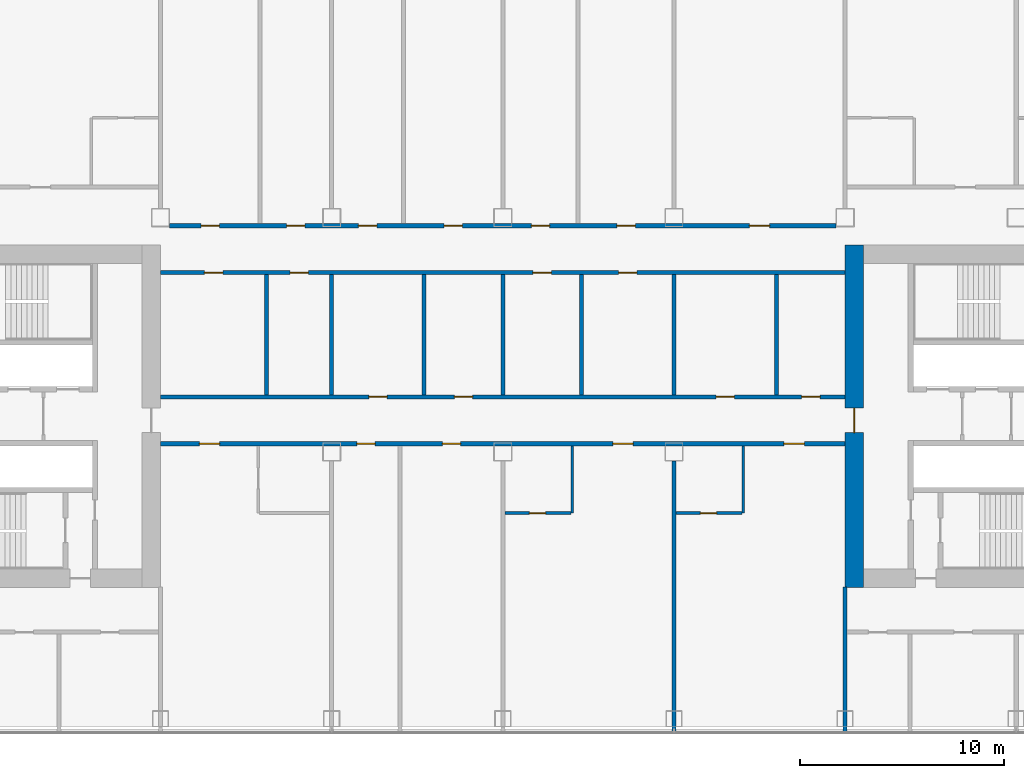
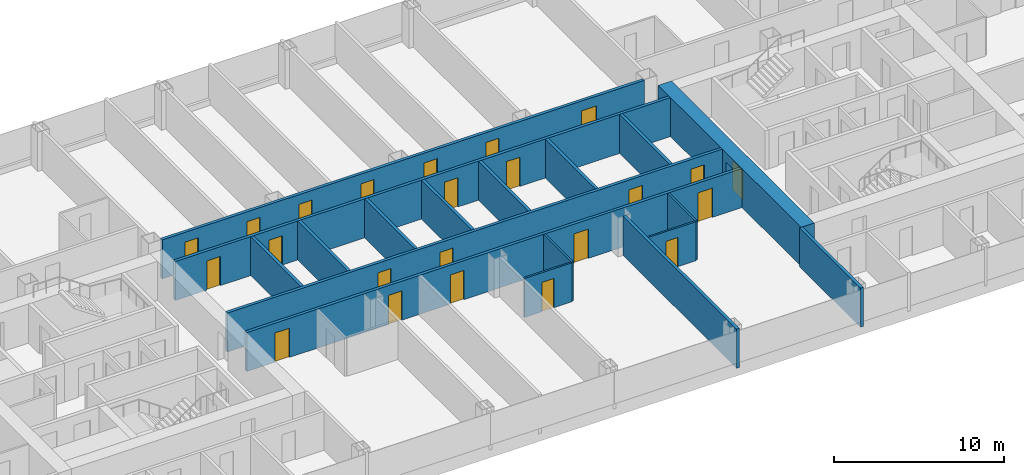
# One storey, part 17 of 29: 23 doors, 18 walls, 23 openings.
"""IFC4 building model written with IfcOpenShell, lengths in metres."""

import ifcopenshell
import ifcopenshell.guid

model = None  # the IFC model being written
_history = None  # IfcOwnerHistory: only IFC2X3 demands one
_inside = {}  # id of a spatial element -> (the spatial element, [elements in it])
_under = {}  # id of a project, library or spatial element -> (it, [spatial elements below it])
_declared = {}  # id of a project -> (the project, [libraries it declares])
_typed = {}  # id of a type object -> (the type object, [elements of that type])
_made_of = {}  # id of a material, layer set ... -> (it, [elements and type objects made of it])


def new_model(schema):
    """Start an empty IFC model of exactly this schema.

    Asked for "IFC4X3", IfcOpenShell would pick the latest addendum, in which some entities
    have other attributes; the version numbers below select the first issue.
    IFC2X3 requires an IfcOwnerHistory on every rooted entity: one is made here for all.
    """
    global model, _history
    if schema == "IFC4X3":
        model = ifcopenshell.file(schema_version=(4, 3, 0, 0))
    else:
        model = ifcopenshell.file(schema=schema)
    _inside.clear()
    _under.clear()
    _declared.clear()
    _typed.clear()
    _made_of.clear()
    _history = None
    if model.schema == "IFC2X3":
        org = make("IfcOrganization", Name="unknown")
        user = make(
            "IfcPersonAndOrganization",
            ThePerson=make("IfcPerson", FamilyName="unknown"),
            TheOrganization=org,
        )
        app = make(
            "IfcApplication",
            ApplicationDeveloper=org,
            Version="unknown",
            ApplicationFullName="unknown",
            ApplicationIdentifier="unknown",
        )
        _history = make(
            "IfcOwnerHistory",
            OwningUser=user,
            OwningApplication=app,
            ChangeAction="ADDED",
            CreationDate=0,
        )
    return model


def make(cls, **values):
    """One entity of the class cls with the attributes given. An attribute that is None is left unset."""
    return model.create_entity(
        cls, **{name: value for name, value in values.items() if value is not None}
    )


def rooted(cls, **values):
    """An entity with a GlobalId (a new one), such as an element, a storey or a relation."""
    return make(cls, GlobalId=ifcopenshell.guid.new(), OwnerHistory=_history, **values)


def si_unit(unit_type, name, prefix=None):
    """IfcSIUnit, for example si_unit("LENGTHUNIT", "METRE", prefix="MILLI")."""
    return make("IfcSIUnit", UnitType=unit_type, Prefix=prefix, Name=name)


def assignment(units):
    """IfcUnitAssignment: the units of a project."""
    return None if units is None else make("IfcUnitAssignment", Units=units)


def point(xyz):
    """IfcCartesianPoint."""
    return None if xyz is None else make("IfcCartesianPoint", Coordinates=xyz)


def direction(xyz):
    """IfcDirection."""
    return None if xyz is None else make("IfcDirection", DirectionRatios=xyz)


def frame(location, z_axis=None, x_axis=None):
    """IfcAxis2Placement3D, a coordinate frame: its origin and axes. An axis left out is left unset."""
    return make(
        "IfcAxis2Placement3D",
        Location=point(location),
        Axis=direction(z_axis),
        RefDirection=direction(x_axis),
    )


def frame_2d(location, x_axis=None):
    """IfcAxis2Placement2D, a coordinate frame in the plane: its origin and x axis."""
    return make(
        "IfcAxis2Placement2D", Location=point(location), RefDirection=direction(x_axis)
    )


def origin():
    """The frame at (0, 0, 0) with its axes left unset."""
    return frame((0.0, 0.0, 0.0))


def place(relative_to, where):
    """IfcLocalPlacement: puts the frame where relative to a parent placement (None: the world)."""
    return make(
        "IfcLocalPlacement", PlacementRelTo=relative_to, RelativePlacement=where
    )


def context(
    kind, dimensions, precision=None, world=None, true_north=None, identifier=None
):
    """IfcGeometricRepresentationContext, for example the 3D "Model" context."""
    return make(
        "IfcGeometricRepresentationContext",
        ContextIdentifier=identifier,
        ContextType=kind,
        CoordinateSpaceDimension=dimensions,
        Precision=precision,
        WorldCoordinateSystem=world,
        TrueNorth=true_north,
    )


def subcontext(parent, identifier, kind, view, scale=None):
    """IfcGeometricRepresentationSubContext, for example "Body" below "Model"."""
    return make(
        "IfcGeometricRepresentationSubContext",
        ContextIdentifier=identifier,
        ContextType=kind,
        ParentContext=parent,
        TargetScale=scale,
        TargetView=view,
    )


def project(units=None, contexts=None):
    """IfcProject with its units and contexts."""
    return rooted(
        "IfcProject",
        Name="project",
        RepresentationContexts=contexts,
        UnitsInContext=assignment(units),
    )


def spatial(cls, under=None, at=None, **own):
    """A site, building, storey or space (cls), placed at a placement, below another one or the project."""
    s = rooted(cls, ObjectPlacement=at, **own)
    if under is not None:
        _under.setdefault(under.id(), (under, []))[1].append(s)
    return s


def profile(cls, at=None, kind="AREA", **sizes):
    """A parametric profile (cls). Its sizes go by their IFC names, for example OverallWidth=200.0."""
    return make(cls, ProfileType=kind, Position=at, **sizes)


def rectangle(**sizes):
    """IfcRectangleProfileDef."""
    return profile("IfcRectangleProfileDef", **sizes)


def extrude(swept, where, along, depth):
    """IfcExtrudedAreaSolid: the profile swept, set in the frame where, extruded along a direction by depth."""
    return make(
        "IfcExtrudedAreaSolid",
        SweptArea=swept,
        Position=where,
        ExtrudedDirection=direction(along),
        Depth=depth,
    )


def shape(context_of_items, identifier, shape_type, items):
    """IfcShapeRepresentation: the items that make up one representation, for example the "Body"."""
    return make(
        "IfcShapeRepresentation",
        ContextOfItems=context_of_items,
        RepresentationIdentifier=identifier,
        RepresentationType=shape_type,
        Items=items,
    )


def material(Name=None, Category=None):
    """IfcMaterial."""
    return make("IfcMaterial", Name=Name, Category=Category)


def layer(
    of_material, thickness, ventilated=None, Name=None, Category=None, Priority=None
):
    """IfcMaterialLayer: one layer of a wall or slab, of a material (None: an air gap)."""
    return make(
        "IfcMaterialLayer",
        Material=of_material,
        LayerThickness=thickness,
        IsVentilated=ventilated,
        Name=Name,
        Category=Category,
        Priority=Priority,
    )


def layer_set(layers, Name=None):
    """IfcMaterialLayerSet."""
    return make("IfcMaterialLayerSet", MaterialLayers=layers, LayerSetName=Name)


def made_of(thing, what):
    """Note that an element or type object is made of a material, layer set ...; save() writes the relation."""
    if what is not None:
        _made_of.setdefault(what.id(), (what, []))[1].append(thing)
    return thing


def type_object(cls, material=None, **own):
    """A type object (cls), such as IfcWallType, which elements share."""
    return made_of(rooted(cls, **own), material)


def element(
    cls,
    number,
    at=None,
    inside=None,
    cuts=None,
    type_object=None,
    material=None,
    context=None,
    identifier="Body",
    shape_type=None,
    held_by="IfcProductDefinitionShape",
    body=None,
    shapes=None,
    **own,
):
    """One element of the class cls, such as IfcWall. Its Tag is "e" and its number.

    at: its placement. inside: the storey or other place that contains it. cuts: it is an
    opening in that element (IfcRelVoidsElement). A single representation is given by context,
    identifier, shape_type and body (its items); several are given by shapes. held_by: the class
    of the entity that holds the representations. save() writes the other relations.
    """
    e = rooted(cls, Tag="e%d" % number, ObjectPlacement=at, **own)
    if body is not None:
        shapes = [shape(context, identifier, shape_type, body)]
    if shapes is not None:
        e.Representation = make(held_by, Representations=shapes)
    if inside is not None:
        _inside.setdefault(inside.id(), (inside, []))[1].append(e)
    if cuts is not None:
        rooted(
            "IfcRelVoidsElement", RelatingBuildingElement=cuts, RelatedOpeningElement=e
        )
    if type_object is not None:
        _typed.setdefault(type_object.id(), (type_object, []))[1].append(e)
    return made_of(e, material)


def fill(opening, filler):
    """IfcRelFillsElement: the door or window that sits in an opening."""
    return rooted(
        "IfcRelFillsElement",
        RelatingOpeningElement=opening,
        RelatedBuildingElement=filler,
    )


def aggregate(whole, parts):
    """IfcRelAggregates: a whole, such as a stair, and the parts it consists of."""
    return rooted("IfcRelAggregates", RelatingObject=whole, RelatedObjects=parts)


def save(model, path):
    """Write the relations noted so far, then the file.

    IfcRelAggregates (storeys below a building ...), IfcRelContainedInSpatialStructure (elements
    in a storey), IfcRelDefinesByType, IfcRelAssociatesMaterial and IfcRelDeclares: one each for
    every whole, place, type object, material and project.
    """
    for whole, parts in _under.values():
        aggregate(whole, parts)
    for where, things in _inside.values():
        rooted(
            "IfcRelContainedInSpatialStructure",
            RelatedElements=things,
            RelatingStructure=where,
        )
    for kind, things in _typed.values():
        rooted("IfcRelDefinesByType", RelatedObjects=things, RelatingType=kind)
    for what, things in _made_of.values():
        rooted("IfcRelAssociatesMaterial", RelatedObjects=things, RelatingMaterial=what)
    for by, libraries in _declared.values():
        rooted("IfcRelDeclares", RelatingContext=by, RelatedDefinitions=libraries)
    model.write(path)


model = new_model("IFC4")

# Units and contexts
model_context = context("Model", 3, precision=1e-05, world=origin(), true_north=direction((0.0, 1.0)))
body_context = subcontext(model_context, "Body", "Model", "MODEL_VIEW")
ifc_project = project(units=[si_unit("LENGTHUNIT", "METRE"), si_unit("AREAUNIT", "SQUARE_METRE"), si_unit("VOLUMEUNIT", "CUBIC_METRE"), si_unit("PLANEANGLEUNIT", "RADIAN"), si_unit("MASSUNIT", "GRAM", prefix="KILO")], contexts=[model_context])

# Site, building, storey
site_placement = place(None, origin())
site = spatial("IfcSite", under=ifc_project, at=site_placement, CompositionType="ELEMENT")
building_placement = place(site_placement, origin())
building = spatial("IfcBuilding", under=site, at=building_placement, Name="Hakoniwa Tower and Hamabe Station Hall", CompositionType="ELEMENT")
storey_placement = place(building_placement, frame((0.0, 0.0, 75.39990234375)))
storey = spatial("IfcBuildingStorey", under=building, at=storey_placement, Name="L20", CompositionType="ELEMENT", Elevation=75.39990234375)

# Wall, opening, door
ifc_material_1 = material(Name="Gypsum board partition", Category="gypsum")
ifc_layer_1 = layer(ifc_material_1, 0.125)
ifc_layer_set_1 = layer_set([ifc_layer_1], Name="Bathroom Partition 125")
wall_type_1 = type_object("IfcWallType", Name="Bathroom Partition 125", PredefinedType="PARTITIONING", material=ifc_layer_set_1)
wall_1_placement = place(storey_placement, frame((0.10009765625, -4.75, 0.0), z_axis=(0.0, 0.0, 1.0), x_axis=(1.0, 0.0, 0.0)))
wall_1 = element("IfcWall", 1, at=wall_1_placement, inside=storey, type_object=wall_type_1, Name="GW-L20-008", PredefinedType="PARTITIONING", context=body_context, shape_type="SweptSolid", body=[
    extrude(rectangle(XDim=3.2373046875, YDim=0.125, at=frame_2d((1.61865234375, 0.0))), origin(), (0.0, 0.0, 1.0), 2.800048828125),
])
opening_1_placement = place(wall_1_placement, frame((1.199951171875, 0.0, 0.0)))
opening_1 = element("IfcOpeningElement", 2, at=opening_1_placement, cuts=wall_1, Name="Opening GD-G2A0-18", PredefinedType="OPENING", context=body_context, shape_type="SweptSolid", body=[
    extrude(rectangle(XDim=0.800048828125, YDim=2.10009765625, at=frame_2d((0.39990234375, 1.050048828125))), frame((0.0, 0.072509765625, 0.0), z_axis=(0.0, -1.0, 0.0), x_axis=(1.0, 0.0, 0.0)), (0.0, 0.0, 1.0), 0.14501953125),
])
ifc_material_2 = material(Name="Timber door leaf", Category="wood")
door_type_1 = type_object("IfcDoorType", Name="Bathroom Door 800", OperationType="SINGLE_SWING_LEFT", PredefinedType="DOOR", material=ifc_material_2)
door_1_placement = place(opening_1_placement, origin())
door_1 = element("IfcDoor", 3, at=door_1_placement, inside=storey, type_object=door_type_1, Name="Door GD-G2A0-18", OperationType="SINGLE_SWING_RIGHT", OverallHeight=2.10009765625, OverallWidth=0.800048828125, PredefinedType="DOOR", context=body_context, shape_type="SweptSolid", body=[
    extrude(rectangle(XDim=0.800048828125, YDim=2.10009765625, at=frame_2d((0.39990234375, 1.050048828125))), frame((0.0, 0.02490234375, 0.0), z_axis=(0.0, -1.0, 0.0), x_axis=(1.0, 0.0, 0.0)), (0.0, 0.0, 1.0), 0.050048828125),
])
fill(opening_1, door_1)

wall_2_placement = place(storey_placement, frame((8.5, -4.75, 0.0), z_axis=(0.0, 0.0, 1.0), x_axis=(1.0, 0.0, 0.0)))
wall_2 = element("IfcWall", 4, at=wall_2_placement, inside=storey, type_object=wall_type_1, Name="GW-L20-009", PredefinedType="PARTITIONING", context=body_context, shape_type="SweptSolid", body=[
    extrude(rectangle(XDim=3.237548828125, YDim=0.125, at=frame_2d((1.61865234375, 0.0))), origin(), (0.0, 0.0, 1.0), 2.800048828125),
])
opening_2_placement = place(wall_2_placement, frame((1.199951171875, 0.0, 0.0)))
opening_2 = element("IfcOpeningElement", 5, at=opening_2_placement, cuts=wall_2, Name="Opening GD-G2A0-19", PredefinedType="OPENING", context=body_context, shape_type="SweptSolid", body=[
    extrude(rectangle(XDim=0.800048828125, YDim=2.10009765625, at=frame_2d((0.39990234375, 1.050048828125))), frame((0.0, 0.072509765625, 0.0), z_axis=(0.0, -1.0, 0.0), x_axis=(1.0, 0.0, 0.0)), (0.0, 0.0, 1.0), 0.14501953125),
])
door_2_placement = place(opening_2_placement, origin())
door_2 = element("IfcDoor", 6, at=door_2_placement, inside=storey, type_object=door_type_1, Name="Door GD-G2A0-19", OperationType="SINGLE_SWING_LEFT", OverallHeight=2.10009765625, OverallWidth=0.800048828125, PredefinedType="DOOR", context=body_context, shape_type="SweptSolid", body=[
    extrude(rectangle(XDim=0.800048828125, YDim=2.10009765625, at=frame_2d((0.39990234375, 1.050048828125))), frame((0.0, 0.02490234375, 0.0), z_axis=(0.0, -1.0, 0.0), x_axis=(1.0, 0.0, 0.0)), (0.0, 0.0, 1.0), 0.050048828125),
])
fill(opening_2, door_2)

# Walls
for number, where, z_axis, x_axis, name in (
    (7, (3.39990234375, -4.75, 0.0), (0.0, 0.0, 1.0), (0.0, 1.0, 0.0), "GW-L20-055"),
    (8, (11.800048828125, -4.75, 0.0), (0.0, 0.0, 1.0), (0.0, 1.0, 0.0), "GW-L20-061"),
):
    element("IfcWall", number, at=place(storey_placement, frame(where, z_axis=z_axis, x_axis=x_axis)), inside=storey, type_object=wall_type_1, Name=name, PredefinedType="PARTITIONING", context=body_context, shape_type="SweptSolid", body=[
        extrude(rectangle(XDim=3.300048828125, YDim=0.125, at=frame_2d((1.64990234375, 0.0))), origin(), (0.0, 0.0, 1.0), 2.800048828125),
    ])

# Wall, opening, door
ifc_material_3 = material(Name="Concrete C72", Category="concrete")
ifc_layer_2 = layer(ifc_material_3, 0.89990234375)
ifc_layer_set_2 = layer_set([ifc_layer_2], Name="CORE WALL 900 C72")
wall_type_2 = type_object("IfcWallType", Name="CORE WALL 900 C72", PredefinedType="SHEAR", material=ifc_layer_set_2)
wall_3_placement = place(storey_placement, frame((17.25, -8.39990234375, 0.0), z_axis=(0.0, 0.0, 1.0), x_axis=(0.0, 1.0, 0.0)))
wall_3 = element("IfcWall", 9, at=wall_3_placement, inside=storey, type_object=wall_type_2, Name="Core wall INNER east", PredefinedType="SHEAR", context=body_context, shape_type="SweptSolid", body=[
    extrude(rectangle(XDim=16.7998046875, YDim=0.89990234375, at=frame_2d((8.39990234375, 0.0))), origin(), (0.0, 0.0, 1.0), 2.800048828125),
])
opening_3_placement = place(wall_3_placement, frame((7.60009765625, 0.0, 0.0)))
opening_3 = element("IfcOpeningElement", 10, at=opening_3_placement, cuts=wall_3, Name="Opening CD-E-IN1-12", PredefinedType="OPENING", context=body_context, shape_type="SweptSolid", body=[
    extrude(rectangle(XDim=1.199951171875, YDim=2.10009765625, at=frame_2d((0.60009765625, 1.050048828125))), frame((0.0, 0.4599609375, 0.0), z_axis=(0.0, -1.0, 0.0), x_axis=(1.0, 0.0, 0.0)), (0.0, 0.0, 1.0), 0.919921875),
])
ifc_material_4 = material(Name="Steel fire door", Category="steel")
door_type_2 = type_object("IfcDoorType", Name="CORE DOOR 1200 FD60", OperationType="DOUBLE_DOOR_SINGLE_SWING", PredefinedType="DOOR", material=ifc_material_4)
door_3_placement = place(opening_3_placement, origin())
door_3 = element("IfcDoor", 11, at=door_3_placement, inside=storey, type_object=door_type_2, Name="Lift lobby door", OperationType="DOUBLE_DOOR_SINGLE_SWING", OverallHeight=2.10009765625, OverallWidth=1.199951171875, PredefinedType="DOOR", context=body_context, shape_type="SweptSolid", body=[
    extrude(rectangle(XDim=1.199951171875, YDim=2.10009765625, at=frame_2d((0.60009765625, 1.050048828125))), frame((0.0, 0.02490234375, 0.0), z_axis=(0.0, -1.0, 0.0), x_axis=(1.0, 0.0, 0.0)), (0.0, 0.0, 1.0), 0.050048828125),
])
fill(opening_3, door_3)

# Wall, openings, doors
ifc_material_5 = material(Name="Fire-rated gypsum board partition", Category="gypsum")
ifc_layer_3 = layer(ifc_material_5, 0.199951171875)
ifc_layer_set_3 = layer_set([ifc_layer_3], Name="Corridor Wall 200")
wall_type_3 = type_object("IfcWallType", Name="Corridor Wall 200", PredefinedType="PARTITIONING", material=ifc_layer_set_3)
wall_4_placement = place(storey_placement, frame((-16.800048828125, -1.35009765625, 0.0), z_axis=(0.0, 0.0, 1.0), x_axis=(1.0, 0.0, 0.0)))
wall_4 = element("IfcWall", 12, at=wall_4_placement, inside=storey, type_object=wall_type_3, Name="GW-L20-010", PredefinedType="PARTITIONING", context=body_context, shape_type="SweptSolid", body=[
    extrude(rectangle(XDim=33.60009765625, YDim=0.199951171875, at=frame_2d((16.800048828125, 0.0))), origin(), (0.0, 0.0, 1.0), 2.800048828125),
])
opening_4_placement = place(wall_4_placement, frame((1.89990234375, 0.0, 0.0)))
opening_4 = element("IfcOpeningElement", 13, at=opening_4_placement, cuts=wall_4, Name="Opening GD-G2A0-20", PredefinedType="OPENING", context=body_context, shape_type="SweptSolid", body=[
    extrude(rectangle(XDim=1.0, YDim=2.10009765625, at=frame_2d((0.5, 1.050048828125))), frame((0.0, 0.10986328125, 0.0), z_axis=(0.0, -1.0, 0.0), x_axis=(1.0, 0.0, 0.0)), (0.0, 0.0, 1.0), 0.219970703125),
])
opening_5_placement = place(wall_4_placement, frame((9.6298828125, 0.0, 0.0)))
opening_5 = element("IfcOpeningElement", 14, at=opening_5_placement, cuts=wall_4, Name="Opening GD-G2A0-21", PredefinedType="OPENING", context=body_context, shape_type="SweptSolid", body=[
    extrude(rectangle(XDim=0.89990234375, YDim=2.10009765625, at=frame_2d((0.449951171875, 1.050048828125))), frame((0.0, 0.10986328125, 0.0), z_axis=(0.0, -1.0, 0.0), x_axis=(1.0, 0.0, 0.0)), (0.0, 0.0, 1.0), 0.219970703125),
])
opening_6_placement = place(wall_4_placement, frame((13.830078125, 0.0, 0.0)))
opening_6 = element("IfcOpeningElement", 15, at=opening_6_placement, cuts=wall_4, Name="Opening GD-G2A0-22", PredefinedType="OPENING", context=body_context, shape_type="SweptSolid", body=[
    extrude(rectangle(XDim=0.89990234375, YDim=2.10009765625, at=frame_2d((0.449951171875, 1.050048828125))), frame((0.0, 0.10986328125, 0.0), z_axis=(0.0, -1.0, 0.0), x_axis=(1.0, 0.0, 0.0)), (0.0, 0.0, 1.0), 0.219970703125),
])
opening_7_placement = place(wall_4_placement, frame((22.199951171875, 0.0, 0.0)))
opening_7 = element("IfcOpeningElement", 16, at=opening_7_placement, cuts=wall_4, Name="Opening GD-G2A0-23", PredefinedType="OPENING", context=body_context, shape_type="SweptSolid", body=[
    extrude(rectangle(XDim=1.0, YDim=2.10009765625, at=frame_2d((0.5, 1.050048828125))), frame((0.0, 0.10986328125, 0.0), z_axis=(0.0, -1.0, 0.0), x_axis=(1.0, 0.0, 0.0)), (0.0, 0.0, 1.0), 0.219970703125),
])
opening_8_placement = place(wall_4_placement, frame((30.60009765625, 0.0, 0.0)))
opening_8 = element("IfcOpeningElement", 17, at=opening_8_placement, cuts=wall_4, Name="Opening GD-G2A0-24", PredefinedType="OPENING", context=body_context, shape_type="SweptSolid", body=[
    extrude(rectangle(XDim=1.0, YDim=2.10009765625, at=frame_2d((0.5, 1.050048828125))), frame((0.0, 0.10986328125, 0.0), z_axis=(0.0, -1.0, 0.0), x_axis=(1.0, 0.0, 0.0)), (0.0, 0.0, 1.0), 0.219970703125),
])
ifc_material_6 = material(Name="Timber door leaf", Category="wood")
door_type_3 = type_object("IfcDoorType", Name="Accessible Guest Entrance Door 1000", OperationType="SINGLE_SWING_LEFT", PredefinedType="DOOR", material=ifc_material_6)
door_4_placement = place(opening_4_placement, origin())
door_4 = element("IfcDoor", 18, at=door_4_placement, inside=storey, type_object=door_type_3, Name="Door GD-G2A0-20", OperationType="SINGLE_SWING_RIGHT", OverallHeight=2.10009765625, OverallWidth=1.0, PredefinedType="DOOR", context=body_context, shape_type="SweptSolid", body=[
    extrude(rectangle(XDim=1.0, YDim=2.10009765625, at=frame_2d((0.5, 1.050048828125))), frame((0.0, 0.02490234375, 0.0), z_axis=(0.0, -1.0, 0.0), x_axis=(1.0, 0.0, 0.0)), (0.0, 0.0, 1.0), 0.050048828125),
])
fill(opening_4, door_4)
ifc_material_7 = material(Name="Timber door leaf", Category="wood")
door_type_4 = type_object("IfcDoorType", Name="Guest Entrance Door 1000", OperationType="SINGLE_SWING_LEFT", PredefinedType="DOOR", material=ifc_material_7)
door_5_placement = place(opening_7_placement, origin())
door_5 = element("IfcDoor", 19, at=door_5_placement, inside=storey, type_object=door_type_4, Name="Door GD-G2A0-23", OperationType="SINGLE_SWING_LEFT", OverallHeight=2.10009765625, OverallWidth=1.0, PredefinedType="DOOR", context=body_context, shape_type="SweptSolid", body=[
    extrude(rectangle(XDim=1.0, YDim=2.10009765625, at=frame_2d((0.5, 1.050048828125))), frame((0.0, 0.02490234375, 0.0), z_axis=(0.0, -1.0, 0.0), x_axis=(1.0, 0.0, 0.0)), (0.0, 0.0, 1.0), 0.050048828125),
])
fill(opening_7, door_5)
door_6_placement = place(opening_8_placement, origin())
door_6 = element("IfcDoor", 20, at=door_6_placement, inside=storey, type_object=door_type_4, Name="Door GD-G2A0-24", OperationType="SINGLE_SWING_RIGHT", OverallHeight=2.10009765625, OverallWidth=1.0, PredefinedType="DOOR", context=body_context, shape_type="SweptSolid", body=[
    extrude(rectangle(XDim=1.0, YDim=2.10009765625, at=frame_2d((0.5, 1.050048828125))), frame((0.0, 0.02490234375, 0.0), z_axis=(0.0, -1.0, 0.0), x_axis=(1.0, 0.0, 0.0)), (0.0, 0.0, 1.0), 0.050048828125),
])
fill(opening_8, door_6)
ifc_material_8 = material(Name="Timber door leaf", Category="wood")
door_type_5 = type_object("IfcDoorType", Name="Service Door 900", OperationType="SINGLE_SWING_LEFT", PredefinedType="DOOR", material=ifc_material_8)
door_7_placement = place(opening_5_placement, origin())
door_7 = element("IfcDoor", 21, at=door_7_placement, inside=storey, type_object=door_type_5, Name="Door GD-G2A0-21", OperationType="SINGLE_SWING_RIGHT", OverallHeight=2.10009765625, OverallWidth=0.89990234375, PredefinedType="DOOR", context=body_context, shape_type="SweptSolid", body=[
    extrude(rectangle(XDim=0.89990234375, YDim=2.10009765625, at=frame_2d((0.449951171875, 1.050048828125))), frame((0.0, 0.02490234375, 0.0), z_axis=(0.0, -1.0, 0.0), x_axis=(1.0, 0.0, 0.0)), (0.0, 0.0, 1.0), 0.050048828125),
])
fill(opening_5, door_7)
door_8_placement = place(opening_6_placement, origin())
door_8 = element("IfcDoor", 22, at=door_8_placement, inside=storey, type_object=door_type_5, Name="Door GD-G2A0-22", OperationType="SINGLE_SWING_RIGHT", OverallHeight=2.10009765625, OverallWidth=0.89990234375, PredefinedType="DOOR", context=body_context, shape_type="SweptSolid", body=[
    extrude(rectangle(XDim=0.89990234375, YDim=2.10009765625, at=frame_2d((0.449951171875, 1.050048828125))), frame((0.0, 0.02490234375, 0.0), z_axis=(0.0, -1.0, 0.0), x_axis=(1.0, 0.0, 0.0)), (0.0, 0.0, 1.0), 0.050048828125),
])
fill(opening_6, door_8)

wall_5_placement = place(storey_placement, frame((-16.800048828125, 0.949951171875, 0.0), z_axis=(0.0, 0.0, 1.0), x_axis=(1.0, 0.0, 0.0)))
wall_5 = element("IfcWall", 23, at=wall_5_placement, inside=storey, type_object=wall_type_3, Name="GW-L20-013", PredefinedType="PARTITIONING", context=body_context, shape_type="SweptSolid", body=[
    extrude(rectangle(XDim=33.60009765625, YDim=0.199951171875, at=frame_2d((16.800048828125, 0.0))), origin(), (0.0, 0.0, 1.0), 2.800048828125),
])
opening_9_placement = place(wall_5_placement, frame((10.219970703125, 0.0, 0.0)))
opening_9 = element("IfcOpeningElement", 24, at=opening_9_placement, cuts=wall_5, Name="Opening GD-G2A0-25", PredefinedType="OPENING", context=body_context, shape_type="SweptSolid", body=[
    extrude(rectangle(XDim=0.89990234375, YDim=2.10009765625, at=frame_2d((0.449951171875, 1.050048828125))), frame((0.0, 0.10986328125, 0.0), z_axis=(0.0, -1.0, 0.0), x_axis=(1.0, 0.0, 0.0)), (0.0, 0.0, 1.0), 0.219970703125),
])
opening_10_placement = place(wall_5_placement, frame((14.419921875, 0.0, 0.0)))
opening_10 = element("IfcOpeningElement", 25, at=opening_10_placement, cuts=wall_5, Name="Opening GD-G2A0-26", PredefinedType="OPENING", context=body_context, shape_type="SweptSolid", body=[
    extrude(rectangle(XDim=0.89990234375, YDim=2.10009765625, at=frame_2d((0.449951171875, 1.050048828125))), frame((0.0, 0.10986328125, 0.0), z_axis=(0.0, -1.0, 0.0), x_axis=(1.0, 0.0, 0.0)), (0.0, 0.0, 1.0), 0.219970703125),
])
opening_11_placement = place(wall_5_placement, frame((27.27001953125, 0.0, 0.0)))
opening_11 = element("IfcOpeningElement", 26, at=opening_11_placement, cuts=wall_5, Name="Opening GD-G2A0-27", PredefinedType="OPENING", context=body_context, shape_type="SweptSolid", body=[
    extrude(rectangle(XDim=0.89990234375, YDim=2.10009765625, at=frame_2d((0.449951171875, 1.050048828125))), frame((0.0, 0.10986328125, 0.0), z_axis=(0.0, -1.0, 0.0), x_axis=(1.0, 0.0, 0.0)), (0.0, 0.0, 1.0), 0.219970703125),
])
opening_12_placement = place(wall_5_placement, frame((31.469970703125, 0.0, 0.0)))
opening_12 = element("IfcOpeningElement", 27, at=opening_12_placement, cuts=wall_5, Name="Opening GD-G2A0-28", PredefinedType="OPENING", context=body_context, shape_type="SweptSolid", body=[
    extrude(rectangle(XDim=0.89990234375, YDim=2.10009765625, at=frame_2d((0.449951171875, 1.050048828125))), frame((0.0, 0.10986328125, 0.0), z_axis=(0.0, -1.0, 0.0), x_axis=(1.0, 0.0, 0.0)), (0.0, 0.0, 1.0), 0.219970703125),
])
door_9_placement = place(opening_9_placement, origin())
door_9 = element("IfcDoor", 28, at=door_9_placement, inside=storey, type_object=door_type_5, Name="Door GD-G2A0-25", OperationType="SINGLE_SWING_RIGHT", OverallHeight=2.10009765625, OverallWidth=0.89990234375, PredefinedType="DOOR", context=body_context, shape_type="SweptSolid", body=[
    extrude(rectangle(XDim=0.89990234375, YDim=2.10009765625, at=frame_2d((0.449951171875, 1.050048828125))), frame((0.0, 0.02490234375, 0.0), z_axis=(0.0, -1.0, 0.0), x_axis=(1.0, 0.0, 0.0)), (0.0, 0.0, 1.0), 0.050048828125),
])
fill(opening_9, door_9)
door_10_placement = place(opening_10_placement, origin())
door_10 = element("IfcDoor", 29, at=door_10_placement, inside=storey, type_object=door_type_5, Name="Door GD-G2A0-26", OperationType="SINGLE_SWING_LEFT", OverallHeight=2.10009765625, OverallWidth=0.89990234375, PredefinedType="DOOR", context=body_context, shape_type="SweptSolid", body=[
    extrude(rectangle(XDim=0.89990234375, YDim=2.10009765625, at=frame_2d((0.449951171875, 1.050048828125))), frame((0.0, 0.02490234375, 0.0), z_axis=(0.0, -1.0, 0.0), x_axis=(1.0, 0.0, 0.0)), (0.0, 0.0, 1.0), 0.050048828125),
])
fill(opening_10, door_10)
door_11_placement = place(opening_11_placement, origin())
door_11 = element("IfcDoor", 30, at=door_11_placement, inside=storey, type_object=door_type_5, Name="Door GD-G2A0-27", OperationType="SINGLE_SWING_RIGHT", OverallHeight=2.10009765625, OverallWidth=0.89990234375, PredefinedType="DOOR", context=body_context, shape_type="SweptSolid", body=[
    extrude(rectangle(XDim=0.89990234375, YDim=2.10009765625, at=frame_2d((0.449951171875, 1.050048828125))), frame((0.0, 0.02490234375, 0.0), z_axis=(0.0, -1.0, 0.0), x_axis=(1.0, 0.0, 0.0)), (0.0, 0.0, 1.0), 0.050048828125),
])
fill(opening_11, door_11)
door_12_placement = place(opening_12_placement, origin())
door_12 = element("IfcDoor", 31, at=door_12_placement, inside=storey, type_object=door_type_5, Name="Door GD-G2A0-28", OperationType="SINGLE_SWING_RIGHT", OverallHeight=2.10009765625, OverallWidth=0.89990234375, PredefinedType="DOOR", context=body_context, shape_type="SweptSolid", body=[
    extrude(rectangle(XDim=0.89990234375, YDim=2.10009765625, at=frame_2d((0.449951171875, 1.050048828125))), frame((0.0, 0.02490234375, 0.0), z_axis=(0.0, -1.0, 0.0), x_axis=(1.0, 0.0, 0.0)), (0.0, 0.0, 1.0), 0.050048828125),
])
fill(opening_12, door_12)

wall_6_placement = place(storey_placement, frame((-16.800048828125, 7.050048828125, 0.0), z_axis=(0.0, 0.0, 1.0), x_axis=(1.0, 0.0, 0.0)))
wall_6 = element("IfcWall", 32, at=wall_6_placement, inside=storey, type_object=wall_type_3, Name="GW-L20-016", PredefinedType="PARTITIONING", context=body_context, shape_type="SweptSolid", body=[
    extrude(rectangle(XDim=33.60009765625, YDim=0.199951171875, at=frame_2d((16.800048828125, 0.0))), origin(), (0.0, 0.0, 1.0), 2.800048828125),
])
opening_13_placement = place(wall_6_placement, frame((2.155029296875, 0.0, 0.0)))
opening_13 = element("IfcOpeningElement", 33, at=opening_13_placement, cuts=wall_6, Name="Opening GD-G2A0-31", PredefinedType="OPENING", context=body_context, shape_type="SweptSolid", body=[
    extrude(rectangle(XDim=0.89990234375, YDim=2.10009765625, at=frame_2d((0.449951171875, 1.050048828125))), frame((0.0, 0.10986328125, 0.0), z_axis=(0.0, -1.0, 0.0), x_axis=(1.0, 0.0, 0.0)), (0.0, 0.0, 1.0), 0.219970703125),
])
opening_14_placement = place(wall_6_placement, frame((6.35498046875, 0.0, 0.0)))
opening_14 = element("IfcOpeningElement", 34, at=opening_14_placement, cuts=wall_6, Name="Opening GD-G2A0-32", PredefinedType="OPENING", context=body_context, shape_type="SweptSolid", body=[
    extrude(rectangle(XDim=0.89990234375, YDim=2.10009765625, at=frame_2d((0.449951171875, 1.050048828125))), frame((0.0, 0.10986328125, 0.0), z_axis=(0.0, -1.0, 0.0), x_axis=(1.0, 0.0, 0.0)), (0.0, 0.0, 1.0), 0.219970703125),
])
opening_15_placement = place(wall_6_placement, frame((18.280029296875, 0.0, 0.0)))
opening_15 = element("IfcOpeningElement", 35, at=opening_15_placement, cuts=wall_6, Name="Opening GD-G2A0-33", PredefinedType="OPENING", context=body_context, shape_type="SweptSolid", body=[
    extrude(rectangle(XDim=0.89990234375, YDim=2.10009765625, at=frame_2d((0.449951171875, 1.050048828125))), frame((0.0, 0.10986328125, 0.0), z_axis=(0.0, -1.0, 0.0), x_axis=(1.0, 0.0, 0.0)), (0.0, 0.0, 1.0), 0.219970703125),
])
opening_16_placement = place(wall_6_placement, frame((22.47998046875, 0.0, 0.0)))
opening_16 = element("IfcOpeningElement", 36, at=opening_16_placement, cuts=wall_6, Name="Opening GD-G2A0-34", PredefinedType="OPENING", context=body_context, shape_type="SweptSolid", body=[
    extrude(rectangle(XDim=0.89990234375, YDim=2.10009765625, at=frame_2d((0.449951171875, 1.050048828125))), frame((0.0, 0.10986328125, 0.0), z_axis=(0.0, -1.0, 0.0), x_axis=(1.0, 0.0, 0.0)), (0.0, 0.0, 1.0), 0.219970703125),
])
door_13_placement = place(opening_13_placement, origin())
door_13 = element("IfcDoor", 37, at=door_13_placement, inside=storey, type_object=door_type_5, Name="Door GD-G2A0-31", OperationType="SINGLE_SWING_RIGHT", OverallHeight=2.10009765625, OverallWidth=0.89990234375, PredefinedType="DOOR", context=body_context, shape_type="SweptSolid", body=[
    extrude(rectangle(XDim=0.89990234375, YDim=2.10009765625, at=frame_2d((0.449951171875, 1.050048828125))), frame((0.0, 0.02490234375, 0.0), z_axis=(0.0, -1.0, 0.0), x_axis=(1.0, 0.0, 0.0)), (0.0, 0.0, 1.0), 0.050048828125),
])
fill(opening_13, door_13)
door_14_placement = place(opening_14_placement, origin())
door_14 = element("IfcDoor", 38, at=door_14_placement, inside=storey, type_object=door_type_5, Name="Door GD-G2A0-32", OperationType="SINGLE_SWING_LEFT", OverallHeight=2.10009765625, OverallWidth=0.89990234375, PredefinedType="DOOR", context=body_context, shape_type="SweptSolid", body=[
    extrude(rectangle(XDim=0.89990234375, YDim=2.10009765625, at=frame_2d((0.449951171875, 1.050048828125))), frame((0.0, 0.02490234375, 0.0), z_axis=(0.0, -1.0, 0.0), x_axis=(1.0, 0.0, 0.0)), (0.0, 0.0, 1.0), 0.050048828125),
])
fill(opening_14, door_14)
door_15_placement = place(opening_15_placement, origin())
door_15 = element("IfcDoor", 39, at=door_15_placement, inside=storey, type_object=door_type_5, Name="Door GD-G2A0-33", OperationType="SINGLE_SWING_RIGHT", OverallHeight=2.10009765625, OverallWidth=0.89990234375, PredefinedType="DOOR", context=body_context, shape_type="SweptSolid", body=[
    extrude(rectangle(XDim=0.89990234375, YDim=2.10009765625, at=frame_2d((0.449951171875, 1.050048828125))), frame((0.0, 0.02490234375, 0.0), z_axis=(0.0, -1.0, 0.0), x_axis=(1.0, 0.0, 0.0)), (0.0, 0.0, 1.0), 0.050048828125),
])
fill(opening_15, door_15)
door_16_placement = place(opening_16_placement, origin())
door_16 = element("IfcDoor", 40, at=door_16_placement, inside=storey, type_object=door_type_5, Name="Door GD-G2A0-34", OperationType="SINGLE_SWING_LEFT", OverallHeight=2.10009765625, OverallWidth=0.89990234375, PredefinedType="DOOR", context=body_context, shape_type="SweptSolid", body=[
    extrude(rectangle(XDim=0.89990234375, YDim=2.10009765625, at=frame_2d((0.449951171875, 1.050048828125))), frame((0.0, 0.02490234375, 0.0), z_axis=(0.0, -1.0, 0.0), x_axis=(1.0, 0.0, 0.0)), (0.0, 0.0, 1.0), 0.050048828125),
])
fill(opening_16, door_16)

wall_7_placement = place(storey_placement, frame((-16.360107421875, 9.35009765625, 0.0), z_axis=(0.0, 0.0, 1.0), x_axis=(1.0, 0.0, 0.0)))
wall_7 = element("IfcWall", 41, at=wall_7_placement, inside=storey, type_object=wall_type_3, Name="GW-L20-019", PredefinedType="PARTITIONING", context=body_context, shape_type="SweptSolid", body=[
    extrude(rectangle(XDim=32.72021484375, YDim=0.199951171875, at=frame_2d((16.360107421875, 0.0))), origin(), (0.0, 0.0, 1.0), 2.800048828125),
])
opening_17_placement = place(wall_7_placement, frame((1.544921875, 0.0, 0.0)))
opening_17 = element("IfcOpeningElement", 42, at=opening_17_placement, cuts=wall_7, Name="Opening GD-G2A0-37", PredefinedType="OPENING", context=body_context, shape_type="SweptSolid", body=[
    extrude(rectangle(XDim=0.89990234375, YDim=2.10009765625, at=frame_2d((0.449951171875, 1.050048828125))), frame((0.0, 0.10986328125, 0.0), z_axis=(0.0, -1.0, 0.0), x_axis=(1.0, 0.0, 0.0)), (0.0, 0.0, 1.0), 0.219970703125),
])
opening_18_placement = place(wall_7_placement, frame((5.7451171875, 0.0, 0.0)))
opening_18 = element("IfcOpeningElement", 43, at=opening_18_placement, cuts=wall_7, Name="Opening GD-G2A0-38", PredefinedType="OPENING", context=body_context, shape_type="SweptSolid", body=[
    extrude(rectangle(XDim=0.89990234375, YDim=2.10009765625, at=frame_2d((0.449951171875, 1.050048828125))), frame((0.0, 0.10986328125, 0.0), z_axis=(0.0, -1.0, 0.0), x_axis=(1.0, 0.0, 0.0)), (0.0, 0.0, 1.0), 0.219970703125),
])
opening_19_placement = place(wall_7_placement, frame((9.27490234375, 0.0, 0.0)))
opening_19 = element("IfcOpeningElement", 44, at=opening_19_placement, cuts=wall_7, Name="Opening GD-G2A0-39", PredefinedType="OPENING", context=body_context, shape_type="SweptSolid", body=[
    extrude(rectangle(XDim=0.89990234375, YDim=2.10009765625, at=frame_2d((0.449951171875, 1.050048828125))), frame((0.0, 0.10986328125, 0.0), z_axis=(0.0, -1.0, 0.0), x_axis=(1.0, 0.0, 0.0)), (0.0, 0.0, 1.0), 0.219970703125),
])
opening_20_placement = place(wall_7_placement, frame((13.47509765625, 0.0, 0.0)))
opening_20 = element("IfcOpeningElement", 45, at=opening_20_placement, cuts=wall_7, Name="Opening GD-G2A0-40", PredefinedType="OPENING", context=body_context, shape_type="SweptSolid", body=[
    extrude(rectangle(XDim=0.89990234375, YDim=2.10009765625, at=frame_2d((0.449951171875, 1.050048828125))), frame((0.0, 0.10986328125, 0.0), z_axis=(0.0, -1.0, 0.0), x_axis=(1.0, 0.0, 0.0)), (0.0, 0.0, 1.0), 0.219970703125),
])
opening_21_placement = place(wall_7_placement, frame((17.760009765625, 0.0, 0.0)))
opening_21 = element("IfcOpeningElement", 46, at=opening_21_placement, cuts=wall_7, Name="Opening GD-G2A0-41", PredefinedType="OPENING", context=body_context, shape_type="SweptSolid", body=[
    extrude(rectangle(XDim=0.89990234375, YDim=2.10009765625, at=frame_2d((0.449951171875, 1.050048828125))), frame((0.0, 0.10986328125, 0.0), z_axis=(0.0, -1.0, 0.0), x_axis=(1.0, 0.0, 0.0)), (0.0, 0.0, 1.0), 0.219970703125),
])
opening_22_placement = place(wall_7_placement, frame((21.9599609375, 0.0, 0.0)))
opening_22 = element("IfcOpeningElement", 47, at=opening_22_placement, cuts=wall_7, Name="Opening GD-G2A0-42", PredefinedType="OPENING", context=body_context, shape_type="SweptSolid", body=[
    extrude(rectangle(XDim=0.89990234375, YDim=2.10009765625, at=frame_2d((0.449951171875, 1.050048828125))), frame((0.0, 0.10986328125, 0.0), z_axis=(0.0, -1.0, 0.0), x_axis=(1.0, 0.0, 0.0)), (0.0, 0.0, 1.0), 0.219970703125),
])
opening_23_placement = place(wall_7_placement, frame((28.4599609375, 0.0, 0.0)))
opening_23 = element("IfcOpeningElement", 48, at=opening_23_placement, cuts=wall_7, Name="Opening GD-G2A0-43", PredefinedType="OPENING", context=body_context, shape_type="SweptSolid", body=[
    extrude(rectangle(XDim=1.0, YDim=2.10009765625, at=frame_2d((0.5, 1.050048828125))), frame((0.0, 0.10986328125, 0.0), z_axis=(0.0, -1.0, 0.0), x_axis=(1.0, 0.0, 0.0)), (0.0, 0.0, 1.0), 0.219970703125),
])
door_17_placement = place(opening_23_placement, origin())
door_17 = element("IfcDoor", 49, at=door_17_placement, inside=storey, type_object=door_type_4, Name="Door GD-G2A0-43", OperationType="SINGLE_SWING_RIGHT", OverallHeight=2.10009765625, OverallWidth=1.0, PredefinedType="DOOR", context=body_context, shape_type="SweptSolid", body=[
    extrude(rectangle(XDim=1.0, YDim=2.10009765625, at=frame_2d((0.5, 1.050048828125))), frame((0.0, 0.02490234375, 0.0), z_axis=(0.0, -1.0, 0.0), x_axis=(1.0, 0.0, 0.0)), (0.0, 0.0, 1.0), 0.050048828125),
])
fill(opening_23, door_17)
door_18_placement = place(opening_17_placement, origin())
door_18 = element("IfcDoor", 50, at=door_18_placement, inside=storey, type_object=door_type_5, Name="Door GD-G2A0-37", OperationType="SINGLE_SWING_LEFT", OverallHeight=2.10009765625, OverallWidth=0.89990234375, PredefinedType="DOOR", context=body_context, shape_type="SweptSolid", body=[
    extrude(rectangle(XDim=0.89990234375, YDim=2.10009765625, at=frame_2d((0.449951171875, 1.050048828125))), frame((0.0, 0.02490234375, 0.0), z_axis=(0.0, -1.0, 0.0), x_axis=(1.0, 0.0, 0.0)), (0.0, 0.0, 1.0), 0.050048828125),
])
fill(opening_17, door_18)
door_19_placement = place(opening_18_placement, origin())
door_19 = element("IfcDoor", 51, at=door_19_placement, inside=storey, type_object=door_type_5, Name="Door GD-G2A0-38", OperationType="SINGLE_SWING_RIGHT", OverallHeight=2.10009765625, OverallWidth=0.89990234375, PredefinedType="DOOR", context=body_context, shape_type="SweptSolid", body=[
    extrude(rectangle(XDim=0.89990234375, YDim=2.10009765625, at=frame_2d((0.449951171875, 1.050048828125))), frame((0.0, 0.02490234375, 0.0), z_axis=(0.0, -1.0, 0.0), x_axis=(1.0, 0.0, 0.0)), (0.0, 0.0, 1.0), 0.050048828125),
])
fill(opening_18, door_19)
door_20_placement = place(opening_19_placement, origin())
door_20 = element("IfcDoor", 52, at=door_20_placement, inside=storey, type_object=door_type_5, Name="Door GD-G2A0-39", OperationType="SINGLE_SWING_LEFT", OverallHeight=2.10009765625, OverallWidth=0.89990234375, PredefinedType="DOOR", context=body_context, shape_type="SweptSolid", body=[
    extrude(rectangle(XDim=0.89990234375, YDim=2.10009765625, at=frame_2d((0.449951171875, 1.050048828125))), frame((0.0, 0.02490234375, 0.0), z_axis=(0.0, -1.0, 0.0), x_axis=(1.0, 0.0, 0.0)), (0.0, 0.0, 1.0), 0.050048828125),
])
fill(opening_19, door_20)
door_21_placement = place(opening_20_placement, origin())
door_21 = element("IfcDoor", 53, at=door_21_placement, inside=storey, type_object=door_type_5, Name="Door GD-G2A0-40", OperationType="SINGLE_SWING_LEFT", OverallHeight=2.10009765625, OverallWidth=0.89990234375, PredefinedType="DOOR", context=body_context, shape_type="SweptSolid", body=[
    extrude(rectangle(XDim=0.89990234375, YDim=2.10009765625, at=frame_2d((0.449951171875, 1.050048828125))), frame((0.0, 0.02490234375, 0.0), z_axis=(0.0, -1.0, 0.0), x_axis=(1.0, 0.0, 0.0)), (0.0, 0.0, 1.0), 0.050048828125),
])
fill(opening_20, door_21)
door_22_placement = place(opening_21_placement, origin())
door_22 = element("IfcDoor", 54, at=door_22_placement, inside=storey, type_object=door_type_5, Name="Door GD-G2A0-41", OperationType="SINGLE_SWING_LEFT", OverallHeight=2.10009765625, OverallWidth=0.89990234375, PredefinedType="DOOR", context=body_context, shape_type="SweptSolid", body=[
    extrude(rectangle(XDim=0.89990234375, YDim=2.10009765625, at=frame_2d((0.449951171875, 1.050048828125))), frame((0.0, 0.02490234375, 0.0), z_axis=(0.0, -1.0, 0.0), x_axis=(1.0, 0.0, 0.0)), (0.0, 0.0, 1.0), 0.050048828125),
])
fill(opening_21, door_22)
door_23_placement = place(opening_22_placement, origin())
door_23 = element("IfcDoor", 55, at=door_23_placement, inside=storey, type_object=door_type_5, Name="Door GD-G2A0-42", OperationType="SINGLE_SWING_LEFT", OverallHeight=2.10009765625, OverallWidth=0.89990234375, PredefinedType="DOOR", context=body_context, shape_type="SweptSolid", body=[
    extrude(rectangle(XDim=0.89990234375, YDim=2.10009765625, at=frame_2d((0.449951171875, 1.050048828125))), frame((0.0, 0.02490234375, 0.0), z_axis=(0.0, -1.0, 0.0), x_axis=(1.0, 0.0, 0.0)), (0.0, 0.0, 1.0), 0.050048828125),
])
fill(opening_22, door_23)

# Walls
ifc_material_9 = material(Name="Fire-rated gypsum board partition", Category="gypsum")
ifc_layer_4 = layer(ifc_material_9, 0.199951171875)
ifc_layer_set_4 = layer_set([ifc_layer_4], Name="Party Wall 200")
wall_type_4 = type_object("IfcWallType", Name="Party Wall 200", PredefinedType="PARTITIONING", material=ifc_layer_set_4)
for number, where, z_axis, x_axis, name in (
    (56, (-11.590087890625, 1.050048828125, 0.0), (0.0, 0.0, 1.0), (0.0, 1.0, 0.0), "GW-L20-045"),
    (57, (-8.39990234375, 1.050048828125, 0.0), (0.0, 0.0, 1.0), (0.0, 1.0, 0.0), "GW-L20-047"),
    (58, (-3.860107421875, 1.050048828125, 0.0), (0.0, 0.0, 1.0), (0.0, 1.0, 0.0), "GW-L20-051"),
    (59, (0.0, 1.050048828125, 0.0), (0.0, 0.0, 1.0), (0.0, 1.0, 0.0), "GW-L20-053"),
    (60, (3.860107421875, 1.050048828125, 0.0), (0.0, 0.0, 1.0), (0.0, 1.0, 0.0), "GW-L20-057"),
):
    element("IfcWall", number, at=place(storey_placement, frame(where, z_axis=z_axis, x_axis=x_axis)), inside=storey, type_object=wall_type_4, Name=name, PredefinedType="PARTITIONING", context=body_context, shape_type="SweptSolid", body=[
        extrude(rectangle(XDim=5.89990234375, YDim=0.199951171875, at=frame_2d((2.949951171875, 0.0))), origin(), (0.0, 0.0, 1.0), 2.800048828125),
    ])
wall_8_placement = place(storey_placement, frame((8.39990234375, -15.550048828125, 0.0), z_axis=(0.0, 0.0, 1.0), x_axis=(0.0, 1.0, 0.0)))
element("IfcWall", 61, at=wall_8_placement, inside=storey, type_object=wall_type_4, Name="GW-L20-058", PredefinedType="PARTITIONING", context=body_context, shape_type="SweptSolid", body=[
    extrude(rectangle(XDim=13.360107421875, YDim=0.199951171875, at=frame_2d((6.68017578125, 0.0))), origin(), (0.0, 0.0, 1.0), 2.800048828125),
])
for number, where, z_axis, x_axis, name in (
    (62, (8.39990234375, 1.050048828125, 0.0), (0.0, 0.0, 1.0), (0.0, 1.0, 0.0), "GW-L20-059"),
    (63, (13.43994140625, 1.050048828125, 0.0), (0.0, 0.0, 1.0), (0.0, 1.0, 0.0), "GW-L20-062"),
):
    element("IfcWall", number, at=place(storey_placement, frame(where, z_axis=z_axis, x_axis=x_axis)), inside=storey, type_object=wall_type_4, Name=name, PredefinedType="PARTITIONING", context=body_context, shape_type="SweptSolid", body=[
        extrude(rectangle(XDim=5.89990234375, YDim=0.199951171875, at=frame_2d((2.949951171875, 0.0))), origin(), (0.0, 0.0, 1.0), 2.800048828125),
    ])
wall_9_placement = place(storey_placement, frame((16.800048828125, -15.550048828125, 0.0), z_axis=(0.0, 0.0, 1.0), x_axis=(0.0, 1.0, 0.0)))
element("IfcWall", 64, at=wall_9_placement, inside=storey, type_object=wall_type_4, Name="GW-L20-063", PredefinedType="PARTITIONING", context=body_context, shape_type="SweptSolid", body=[
    extrude(rectangle(XDim=7.16015625, YDim=0.199951171875, at=frame_2d((3.580078125, 0.0))), origin(), (0.0, 0.0, 1.0), 2.800048828125),
])

save(model, "model.ifc")
